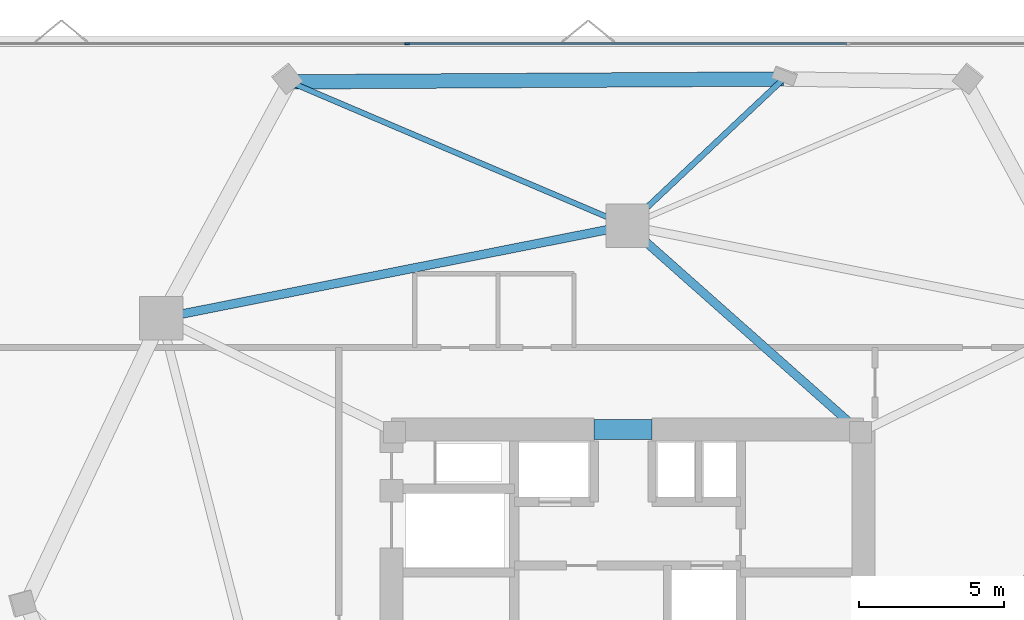
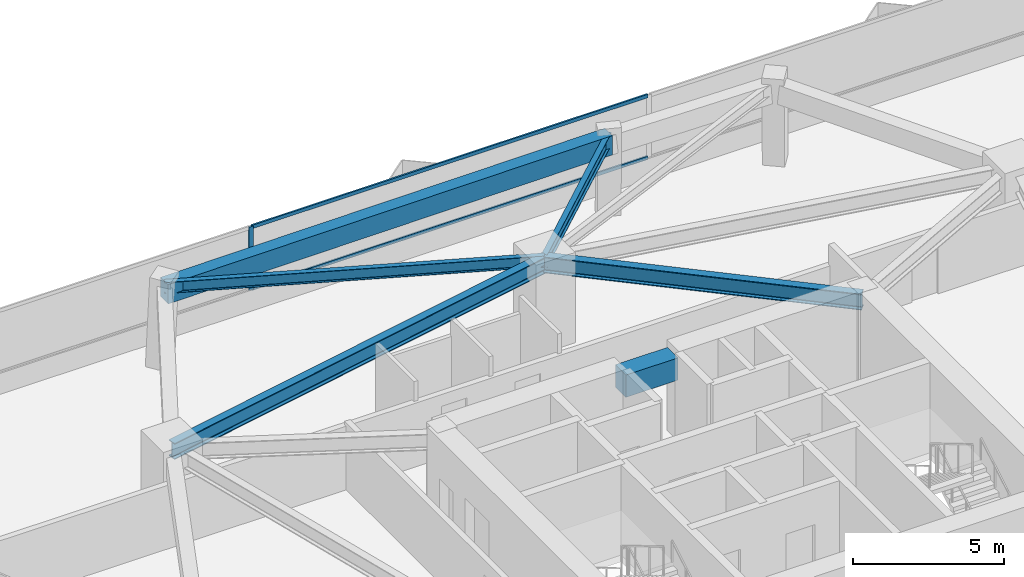
# One storey, part 5 of 11: 6 beams, 3 members, 1 element without a shape of its own.
"""IFC4 building model written with IfcOpenShell, lengths in metres."""

from ifc_helpers import new_model, si_unit, direction, frame, origin, origin_2d, place, context, subcontext, project, spatial, rectangle, i_section, extrude, material, layer, layer_set, material_profile, profile_set, type_object, element, aggregate, save


model = new_model("IFC4")

# Units and contexts
model_context = context("Model", 3, precision=1e-05, world=origin(), true_north=direction((0.0, 1.0)))
body_context = subcontext(model_context, "Body", "Model", "MODEL_VIEW")
ifc_project = project(units=[si_unit("LENGTHUNIT", "METRE"), si_unit("AREAUNIT", "SQUARE_METRE"), si_unit("VOLUMEUNIT", "CUBIC_METRE"), si_unit("PLANEANGLEUNIT", "RADIAN"), si_unit("MASSUNIT", "GRAM", prefix="KILO")], contexts=[model_context])

# Site, building, storey
site_placement = place(None, origin())
site = spatial("IfcSite", under=ifc_project, at=site_placement, CompositionType="ELEMENT")
building_placement = place(site_placement, origin())
building = spatial("IfcBuilding", under=site, at=building_placement, Name="Talyreon Biosciences Tower", CompositionType="ELEMENT")
storey_placement = place(building_placement, frame((0.0, 0.0, 163.699951171875)))
storey = spatial("IfcBuildingStorey", under=building, at=storey_placement, Name="L43", CompositionType="ELEMENT", Elevation=163.699951171875)

# Curtain wall, members
ifc_material_1 = material(Name="Thermally broken aluminium and low-E glazing", Category="aluminium")
ifc_layer = layer(ifc_material_1, 0.18505859375)
ifc_layer_set = layer_set([ifc_layer], Name="Thermally broken aluminium and low-E glazing")
curtain_wall_type = type_object("IfcCurtainWallType", Name="CurtainWall_Zone3Bioprocess", PredefinedType="NOTDEFINED", material=ifc_layer_set)
curtain_wall_placement = place(storey_placement, origin())
curtain_wall = element("IfcCurtainWall", 1, at=curtain_wall_placement, inside=storey, type_object=curtain_wall_type, Name="L43 Unitised Curtain Wall FCW-L43-04", PredefinedType="NOTDEFINED")
ifc_material_2 = material(Name="Anodised thermally broken aluminium", Category="aluminium")
ifc_material_profile_1 = material_profile(ifc_material_2, rectangle(XDim=0.06494140625, YDim=0.179931640625, at=origin_2d()), Name="ALUM MULLION 65x180")
ifc_profile_set_1 = profile_set([ifc_material_profile_1], Name="Anodised thermally broken aluminium")
member_type_1 = type_object("IfcMemberType", Name="CWMullion_65x180", PredefinedType="MULLION", material=ifc_profile_set_1)
member_1_placement = place(storey_placement, frame((58.39111328125, 88.072509765625, 0.81005859375), z_axis=(0.0, 0.0, 1.0), x_axis=(0.0, 1.0, 0.0)))
member_1 = element("IfcMember", 2, at=member_1_placement, type_object=member_type_1, Name="CW4 mullion 2", PredefinedType="MULLION", context=body_context, shape_type="SweptSolid", body=[
    extrude(rectangle(XDim=0.06494140625, YDim=0.179931640625, at=origin_2d()), origin(), (0.0, 0.0, 1.0), 2.56494140625),
])
ifc_material_profile_2 = material_profile(ifc_material_2, rectangle(XDim=0.06494140625, YDim=0.139892578125, at=origin_2d()), Name="ALUM TRANSOM 65x140")
ifc_profile_set_2 = profile_set([ifc_material_profile_2], Name="Anodised thermally broken aluminium")
member_type_2 = type_object("IfcMemberType", Name="CWTransom_65x140", PredefinedType="USERDEFINED", material=ifc_profile_set_2)
member_2_placement = place(storey_placement, frame((58.423583984375, 88.072509765625, 0.842529296875), z_axis=(1.0, 0.0, 0.0), x_axis=(0.0, 1.0, 0.0)))
member_2 = element("IfcMember", 3, at=member_2_placement, type_object=member_type_2, Name="CW4 transom 2.1", ObjectType="TRANSOM", PredefinedType="USERDEFINED", context=body_context, shape_type="SweptSolid", body=[
    extrude(rectangle(XDim=0.06494140625, YDim=0.139892578125, at=origin_2d()), origin(), (0.0, 0.0, 1.0), 15.15283203125),
])
member_3_placement = place(storey_placement, frame((58.423583984375, 88.072509765625, 3.342529296875), z_axis=(1.0, 0.0, 0.0), x_axis=(0.0, 1.0, 0.0)))
member_3 = element("IfcMember", 4, at=member_3_placement, type_object=member_type_2, Name="CW4 transom 2.2", ObjectType="TRANSOM", PredefinedType="USERDEFINED", context=body_context, shape_type="SweptSolid", body=[
    extrude(rectangle(XDim=0.06494140625, YDim=0.139892578125, at=origin_2d()), origin(), (0.0, 0.0, 1.0), 15.15283203125),
])
aggregate(curtain_wall, [member_1, member_2, member_3])

# Beams
ifc_material_3 = material(Name="Concrete C60/75", Category="concrete")
ifc_material_profile_3 = material_profile(ifc_material_3, rectangle(XDim=0.699951171875, YDim=0.89990234375, at=origin_2d()), Name="RCB 700x900")
ifc_profile_set_3 = profile_set([ifc_material_profile_3], Name="Concrete C60/75")
beam_type_1 = type_object("IfcBeamType", Name="CoreCouplingLintel_700x900", PredefinedType="LINTEL", material=ifc_profile_set_3)
beam_1_placement = place(storey_placement, frame((64.85009765625, 74.75, 2.925048828125), z_axis=(1.0, 0.0, 0.0), x_axis=(0.0, 1.0, 0.0)))
element("IfcBeam", 5, at=beam_1_placement, inside=storey, type_object=beam_type_1, Name="L43 Core Coupling Lintel", PredefinedType="LINTEL", context=body_context, shape_type="SweptSolid", body=[
    extrude(rectangle(XDim=0.699951171875, YDim=0.89990234375, at=origin_2d()), origin(), (0.0, 0.0, 1.0), 2.0),
])
ifc_material_4 = material(Name="Precast concrete C45/55", Category="concrete")
ifc_material_profile_4 = material_profile(ifc_material_4, rectangle(XDim=0.5, YDim=0.780029296875, at=origin_2d()), Name="RCB 500x780")
ifc_profile_set_4 = profile_set([ifc_material_profile_4], Name="Precast concrete C45/55")
beam_type_2 = type_object("IfcBeamType", Name="ExpressedSpandrel_500x780", PredefinedType="SPANDREL", material=ifc_profile_set_4)
beam_2_placement = place(storey_placement, frame((71.387939453125, 86.85791015625, 2.985107421875), z_axis=(-0.999982875216, -0.005852287954, 0.0), x_axis=(0.005852287954, -0.999982875216, 0.0)))
element("IfcBeam", 6, at=beam_2_placement, inside=storey, type_object=beam_type_2, Name="L43 Expressed Horizontal Concrete Spandrel 07", PredefinedType="SPANDREL", context=body_context, shape_type="SweptSolid", body=[
    extrude(rectangle(XDim=0.5, YDim=0.780029296875, at=origin_2d()), origin(), (0.0, 0.0, 1.0), 17.062255859375),
])
ifc_material_5 = material(Name="Steel SM355", Category="steel")
ifc_material_profile_5 = material_profile(ifc_material_5, i_section(OverallWidth=0.300048828125, OverallDepth=0.64990234375, WebThickness=0.01611328125, FlangeThickness=0.031005859375, FilletRadius=0.027099609375, at=origin_2d()), Name="HE650B")
ifc_profile_set_5 = profile_set([ifc_material_profile_5], Name="Steel SM355")
beam_type_3 = type_object("IfcBeamType", Name="SteelBeam_HE650B", PredefinedType="BEAM", material=ifc_profile_set_5)
beam_3_placement = place(storey_placement, frame((66.0, 81.788818359375, 3.050048828125), z_axis=(-0.980933730698, -0.194342522311, 0.0), x_axis=(0.194342522311, -0.980933730698, 0.0)))
element("IfcBeam", 7, at=beam_3_placement, inside=storey, type_object=beam_type_3, Name="L43 Mega-Ring Girder 4", PredefinedType="BEAM", context=body_context, shape_type="SweptSolid", body=[
    extrude(i_section(OverallWidth=0.300048828125, OverallDepth=0.64990234375, WebThickness=0.01611328125, FlangeThickness=0.031005859375, FilletRadius=0.027099609375, at=origin_2d()), origin(), (0.0, 0.0, 1.0), 16.415283203125),
])
beam_4_placement = place(storey_placement, frame((74.050048828125, 74.64990234375, 3.050048828125), z_axis=(-0.748178733955, 0.663497235908, 0.0), x_axis=(-0.663497235908, -0.748178733955, 0.0)))
element("IfcBeam", 8, at=beam_4_placement, inside=storey, type_object=beam_type_3, Name="L43 Radial Primary Girder 4", PredefinedType="BEAM", context=body_context, shape_type="SweptSolid", body=[
    extrude(i_section(OverallWidth=0.300048828125, OverallDepth=0.64990234375, WebThickness=0.01611328125, FlangeThickness=0.031005859375, FilletRadius=0.027099609375, at=origin_2d()), origin(), (0.0, 0.0, 1.0), 10.759521484375),
])
ifc_material_profile_6 = material_profile(ifc_material_5, i_section(OverallWidth=0.18994140625, OverallDepth=0.449951171875, WebThickness=0.009521484375, FlangeThickness=0.0146484375, FilletRadius=0.02099609375, at=origin_2d()), Name="IPE450")
ifc_profile_set_6 = profile_set([ifc_material_profile_6], Name="Steel SM355")
beam_type_4 = type_object("IfcBeamType", Name="SteelJoist_IPE450", PredefinedType="JOIST", material=ifc_profile_set_6)
beam_5_placement = place(storey_placement, frame((66.0, 81.788818359375, 3.150146484375), z_axis=(-0.92011067264, 0.391658461027, 0.0), x_axis=(-0.391658461027, -0.92011067264, 0.0)))
element("IfcBeam", 9, at=beam_5_placement, inside=storey, type_object=beam_type_4, Name="L43 Radial Composite Floor Joist PC-N2", PredefinedType="JOIST", context=body_context, shape_type="SweptSolid", body=[
    extrude(i_section(OverallWidth=0.18994140625, OverallDepth=0.449951171875, WebThickness=0.009521484375, FlangeThickness=0.0146484375, FilletRadius=0.02099609375, at=origin_2d()), origin(), (0.0, 0.0, 1.0), 12.687744140625),
])
ifc_material_profile_7 = material_profile(ifc_material_5, i_section(OverallWidth=0.199951171875, OverallDepth=0.5, WebThickness=0.01025390625, FlangeThickness=0.01611328125, FilletRadius=0.02099609375, at=origin_2d()), Name="IPE500")
ifc_profile_set_7 = profile_set([ifc_material_profile_7], Name="Steel SM355")
beam_type_5 = type_object("IfcBeamType", Name="SteelJoist_IPE500", PredefinedType="JOIST", material=ifc_profile_set_7)
beam_6_placement = place(storey_placement, frame((66.0, 81.788818359375, 3.125), z_axis=(0.72832884037, 0.685227772559, 0.0), x_axis=(-0.685227772559, 0.72832884037, 0.0)))
element("IfcBeam", 10, at=beam_6_placement, inside=storey, type_object=beam_type_5, Name="L43 Radial Composite Floor Joist PL-N", PredefinedType="JOIST", context=body_context, shape_type="SweptSolid", body=[
    extrude(i_section(OverallWidth=0.199951171875, OverallDepth=0.5, WebThickness=0.01025390625, FlangeThickness=0.01611328125, FilletRadius=0.02099609375, at=origin_2d()), origin(), (0.0, 0.0, 1.0), 7.397705078125),
])

save(model, "model.ifc")
